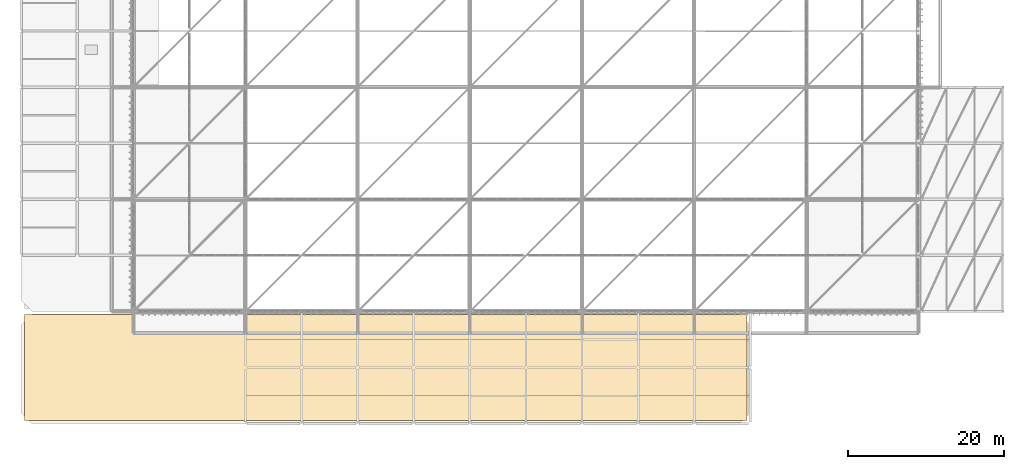
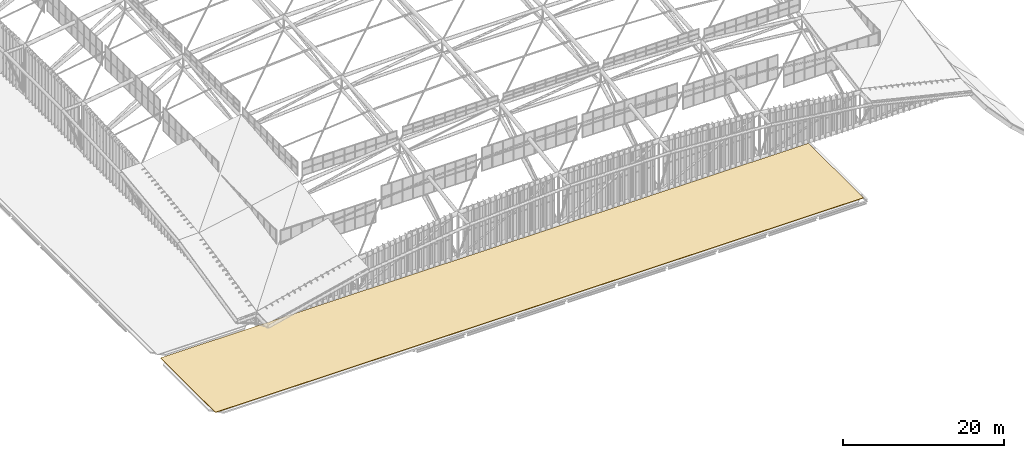
# One storey, part 386 of 397: 1 covering.
"""IFC4 building model written with IfcOpenShell, lengths in metres."""

from ifc_helpers import new_model, si_unit, direction, frame, origin, place, context, subcontext, project, spatial, polyline, outline, extrude, material, layer, layer_set, type_object, element, save


model = new_model("IFC4")

# Units and contexts
model_context = context("Model", 3, precision=1e-05, world=origin(), true_north=direction((0.0, 1.0)))
body_context = subcontext(model_context, "Body", "Model", "MODEL_VIEW")
ifc_project = project(units=[si_unit("LENGTHUNIT", "METRE"), si_unit("AREAUNIT", "SQUARE_METRE"), si_unit("VOLUMEUNIT", "CUBIC_METRE"), si_unit("PLANEANGLEUNIT", "RADIAN"), si_unit("MASSUNIT", "GRAM", prefix="KILO")], contexts=[model_context])

# Site, building, storey
site_placement = place(None, origin())
site = spatial("IfcSite", under=ifc_project, at=site_placement, CompositionType="ELEMENT")
building_placement = place(site_placement, origin())
building = spatial("IfcBuilding", under=site, at=building_placement, Name="Qandorah Velis Arena", CompositionType="ELEMENT")
storey_placement = place(building_placement, frame((0.0, 0.0, 27.5)))
storey = spatial("IfcBuildingStorey", under=building, at=storey_placement, Name="RF", CompositionType="ELEMENT", Elevation=27.5)

# Covering
ifc_material = material(Name="Insulated high-albedo standing-seam aluminium roofing", Category="aluminium")
ifc_layer = layer(ifc_material, 0.080078125)
ifc_layer_set = layer_set([ifc_layer], Name="Insulated high-albedo standing-seam aluminium roofing")
covering_type = type_object("IfcCoveringType", Name="ARC-COV-ROOF", PredefinedType="ROOFING", material=ifc_layer_set)
covering_placement = place(storey_placement, origin())
element("IfcCovering", 1, at=covering_placement, inside=storey, type_object=covering_type, Name="Standing-seam insulated roof covering COV-RF-SKY-S", PredefinedType="ROOFING", context=body_context, shape_type="SweptSolid", body=[
    extrude(outline(polyline([(0.39990234375, 0.39990234375), (93.199951171875, 0.39990234375), (93.199951171875, 14.0), (0.39990234375, 14.0), (0.39990234375, 0.39990234375)])), origin(), (0.0, 0.0, 1.0), 0.080078125),
])

save(model, "model.ifc")
